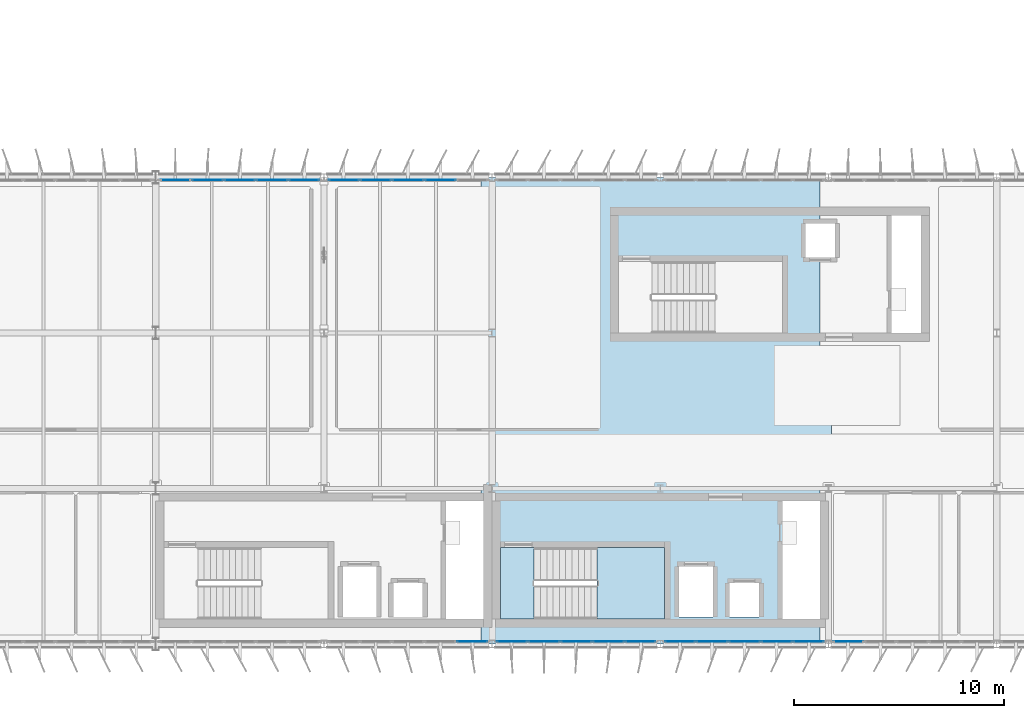
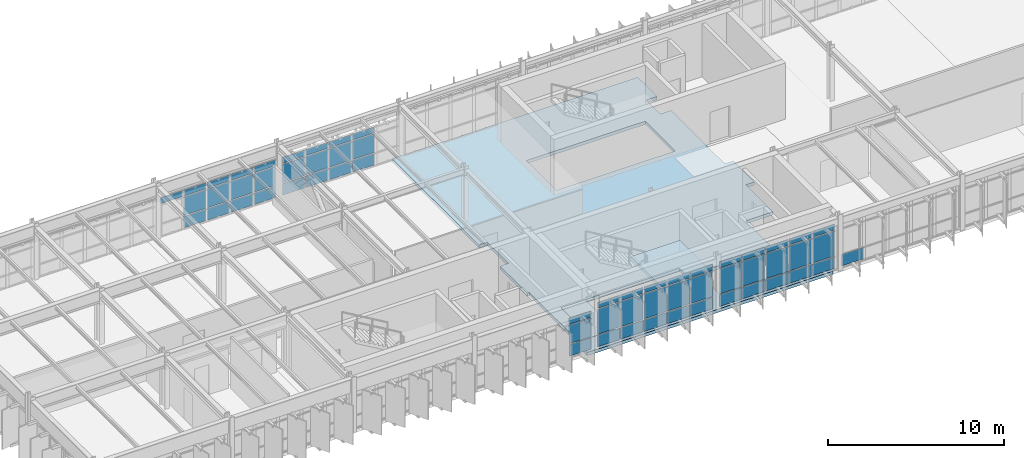
# One storey, part 25 of 45: 59 plates, 3 slabs, 7 elements without a shape of their own.
"""IFC4 building model written with IfcOpenShell, lengths in metres."""

from ifc_helpers import new_model, si_unit, direction, frame, origin, origin_2d, place, context, subcontext, project, spatial, polyline, rectangle, outline, extrude, material, layer, layer_set, type_object, element, aggregate, save


model = new_model("IFC4")

# Units and contexts
model_context = context("Model", 3, precision=1e-05, world=origin(), true_north=direction((0.0, 1.0)))
body_context = subcontext(model_context, "Body", "Model", "MODEL_VIEW")
ifc_project = project(units=[si_unit("LENGTHUNIT", "METRE"), si_unit("AREAUNIT", "SQUARE_METRE"), si_unit("VOLUMEUNIT", "CUBIC_METRE"), si_unit("PLANEANGLEUNIT", "RADIAN"), si_unit("MASSUNIT", "GRAM", prefix="KILO")], contexts=[model_context])

# Site, building, storey
site_placement = place(None, origin())
site = spatial("IfcSite", under=ifc_project, at=site_placement, CompositionType="ELEMENT")
building_placement = place(site_placement, origin())
building = spatial("IfcBuilding", under=site, at=building_placement, Name="Valkorina Park Police Headquarters", CompositionType="ELEMENT")
storey_placement = place(building_placement, frame((0.0, 0.0, 23.300048828125)))
storey = spatial("IfcBuildingStorey", under=building, at=storey_placement, Name="L06", CompositionType="ELEMENT", Elevation=23.300048828125)

# Curtain wall, plates
ifc_material_1 = material(Name="Thermally broken aluminium AW-6060", Category="aluminium")
ifc_layer_1 = layer(ifc_material_1, 0.18994140625)
ifc_layer_set_1 = layer_set([ifc_layer_1], Name="Thermally broken aluminium AW-6060")
curtain_wall_type_1 = type_object("IfcCurtainWallType", Name="CW-V5-7680x2770", PredefinedType="NOTDEFINED", material=ifc_layer_set_1)
curtain_wall_1_placement = place(storey_placement, origin())
curtain_wall_1 = element("IfcCurtainWall", 1, at=curtain_wall_1_placement, inside=storey, type_object=curtain_wall_type_1, Name="L06 Unitised Curtain Wall 102", PredefinedType="NOTDEFINED")
ifc_layer_2 = layer(ifc_material_1, 0.050048828125)
ifc_layer_set_2 = layer_set([ifc_layer_2], Name="Thermally broken aluminium AW-6060")
plate_type_1 = type_object("IfcPlateType", Name="PL-CWP-SPANDREL-50", PredefinedType="CURTAIN_PANEL", material=ifc_layer_set_2)
plate_1_placement = place(storey_placement, frame((19.263916015625, 59.080078125, 0.070068359375), z_axis=(0.0, 0.0, 1.0), x_axis=(1.0, 0.0, 0.0)))
plate_1 = element("IfcPlate", 2, at=plate_1_placement, type_object=plate_type_1, Name="CW-V5-768-277 panel 2.1", PredefinedType="CURTAIN_PANEL", context=body_context, shape_type="SweptSolid", body=[
    extrude(rectangle(XDim=1.466064453125, YDim=0.028076171875, at=origin_2d()), origin(), (0.0, 0.0, 1.0), 0.794921875),
])
plate_2_placement = place(storey_placement, frame((20.800048828125, 59.080078125, 0.070068359375), z_axis=(0.0, 0.0, 1.0), x_axis=(1.0, 0.0, 0.0)))
plate_2 = element("IfcPlate", 3, at=plate_2_placement, type_object=plate_type_1, Name="CW-V5-768-277 panel 3.1", PredefinedType="CURTAIN_PANEL", context=body_context, shape_type="SweptSolid", body=[
    extrude(rectangle(XDim=1.466064453125, YDim=0.028076171875, at=origin_2d()), origin(), (0.0, 0.0, 1.0), 0.794921875),
])
plate_3_placement = place(storey_placement, frame((22.3359375, 59.080078125, 0.070068359375), z_axis=(0.0, 0.0, 1.0), x_axis=(1.0, 0.0, 0.0)))
plate_3 = element("IfcPlate", 4, at=plate_3_placement, type_object=plate_type_1, Name="CW-V5-768-277 panel 4.1", PredefinedType="CURTAIN_PANEL", context=body_context, shape_type="SweptSolid", body=[
    extrude(rectangle(XDim=1.466064453125, YDim=0.028076171875, at=origin_2d()), origin(), (0.0, 0.0, 1.0), 0.794921875),
])
plate_4_placement = place(storey_placement, frame((23.8544921875, 59.080078125, 0.070068359375), z_axis=(0.0, 0.0, 1.0), x_axis=(1.0, 0.0, 0.0)))
plate_4 = element("IfcPlate", 5, at=plate_4_placement, type_object=plate_type_1, Name="CW-V5-768-277 panel 5.1", PredefinedType="CURTAIN_PANEL", context=body_context, shape_type="SweptSolid", body=[
    extrude(rectangle(XDim=1.430908203125, YDim=0.028076171875, at=origin_2d()), origin(), (0.0, 0.0, 1.0), 0.794921875),
])

curtain_wall_2_placement = place(storey_placement, origin())
curtain_wall_2 = element("IfcCurtainWall", 6, at=curtain_wall_2_placement, inside=storey, type_object=curtain_wall_type_1, Name="L06 Unitised Curtain Wall 103", PredefinedType="NOTDEFINED")
plate_5_placement = place(storey_placement, frame((25.74560546875, 59.080078125, 0.070068359375), z_axis=(0.0, 0.0, 1.0), x_axis=(1.0, 0.0, 0.0)))
plate_5 = element("IfcPlate", 7, at=plate_5_placement, type_object=plate_type_1, Name="CW-V5-768-277 panel 1.1", PredefinedType="CURTAIN_PANEL", context=body_context, shape_type="SweptSolid", body=[
    extrude(rectangle(XDim=1.430908203125, YDim=0.028076171875, at=origin_2d()), origin(), (0.0, 0.0, 1.0), 0.794921875),
])
plate_6_placement = place(storey_placement, frame((27.263916015625, 59.080078125, 0.070068359375), z_axis=(0.0, 0.0, 1.0), x_axis=(1.0, 0.0, 0.0)))
plate_6 = element("IfcPlate", 8, at=plate_6_placement, type_object=plate_type_1, Name="CW-V5-768-277 panel 2.1", PredefinedType="CURTAIN_PANEL", context=body_context, shape_type="SweptSolid", body=[
    extrude(rectangle(XDim=1.466064453125, YDim=0.028076171875, at=origin_2d()), origin(), (0.0, 0.0, 1.0), 0.794921875),
])
plate_7_placement = place(storey_placement, frame((28.800048828125, 59.080078125, 0.070068359375), z_axis=(0.0, 0.0, 1.0), x_axis=(1.0, 0.0, 0.0)))
plate_7 = element("IfcPlate", 9, at=plate_7_placement, type_object=plate_type_1, Name="CW-V5-768-277 panel 3.1", PredefinedType="CURTAIN_PANEL", context=body_context, shape_type="SweptSolid", body=[
    extrude(rectangle(XDim=1.466064453125, YDim=0.028076171875, at=origin_2d()), origin(), (0.0, 0.0, 1.0), 0.794921875),
])
plate_8_placement = place(storey_placement, frame((30.3359375, 59.080078125, 0.070068359375), z_axis=(0.0, 0.0, 1.0), x_axis=(1.0, 0.0, 0.0)))
plate_8 = element("IfcPlate", 10, at=plate_8_placement, type_object=plate_type_1, Name="CW-V5-768-277 panel 4.1", PredefinedType="CURTAIN_PANEL", context=body_context, shape_type="SweptSolid", body=[
    extrude(rectangle(XDim=1.466064453125, YDim=0.028076171875, at=origin_2d()), origin(), (0.0, 0.0, 1.0), 0.794921875),
])

# Curtain wall, plate
ifc_layer_3 = layer(ifc_material_1, 0.18994140625)
ifc_layer_set_3 = layer_set([ifc_layer_3], Name="Thermally broken aluminium AW-6060")
curtain_wall_type_2 = type_object("IfcCurtainWallType", Name="CW-V5-7680x3220", PredefinedType="NOTDEFINED", material=ifc_layer_set_3)
curtain_wall_3_placement = place(storey_placement, origin())
curtain_wall_3 = element("IfcCurtainWall", 11, at=curtain_wall_3_placement, inside=storey, type_object=curtain_wall_type_2, Name="L06 Unitised Curtain Wall 126", PredefinedType="NOTDEFINED")
plate_9_placement = place(storey_placement, frame((49.74560546875, 37.1201171875, 0.070068359375), z_axis=(0.0, 0.0, 1.0), x_axis=(-1.0, 0.0, 0.0)))
plate_9 = element("IfcPlate", 12, at=plate_9_placement, type_object=plate_type_1, Name="CW-V5-768-322 panel 5.1", PredefinedType="CURTAIN_PANEL", context=body_context, shape_type="SweptSolid", body=[
    extrude(rectangle(XDim=1.430908203125, YDim=0.028076171875, at=origin_2d()), origin(), (0.0, 0.0, 1.0), 0.794921875),
])
aggregate(curtain_wall_3, [plate_9])

# Curtain wall, plates
curtain_wall_4_placement = place(storey_placement, origin())
curtain_wall_4 = element("IfcCurtainWall", 13, at=curtain_wall_4_placement, inside=storey, type_object=curtain_wall_type_2, Name="L06 Unitised Curtain Wall 127", PredefinedType="NOTDEFINED")
plate_10_placement = place(storey_placement, frame((47.8544921875, 37.1201171875, 0.070068359375), z_axis=(0.0, 0.0, 1.0), x_axis=(-1.0, 0.0, 0.0)))
plate_10 = element("IfcPlate", 14, at=plate_10_placement, type_object=plate_type_1, Name="CW-V5-768-322 panel 1.1", PredefinedType="CURTAIN_PANEL", context=body_context, shape_type="SweptSolid", body=[
    extrude(rectangle(XDim=1.430908203125, YDim=0.028076171875, at=origin_2d()), origin(), (0.0, 0.0, 1.0), 0.794921875),
])
plate_11_placement = place(storey_placement, frame((46.3359375, 37.1201171875, 0.070068359375), z_axis=(0.0, 0.0, 1.0), x_axis=(-1.0, 0.0, 0.0)))
plate_11 = element("IfcPlate", 15, at=plate_11_placement, type_object=plate_type_1, Name="CW-V5-768-322 panel 2.1", PredefinedType="CURTAIN_PANEL", context=body_context, shape_type="SweptSolid", body=[
    extrude(rectangle(XDim=1.466064453125, YDim=0.028076171875, at=origin_2d()), origin(), (0.0, 0.0, 1.0), 0.794921875),
])
plate_12_placement = place(storey_placement, frame((44.800048828125, 37.1201171875, 0.070068359375), z_axis=(0.0, 0.0, 1.0), x_axis=(-1.0, 0.0, 0.0)))
plate_12 = element("IfcPlate", 16, at=plate_12_placement, type_object=plate_type_1, Name="CW-V5-768-322 panel 3.1", PredefinedType="CURTAIN_PANEL", context=body_context, shape_type="SweptSolid", body=[
    extrude(rectangle(XDim=1.466064453125, YDim=0.028076171875, at=origin_2d()), origin(), (0.0, 0.0, 1.0), 0.794921875),
])
plate_13_placement = place(storey_placement, frame((43.263916015625, 37.1201171875, 0.070068359375), z_axis=(0.0, 0.0, 1.0), x_axis=(-1.0, 0.0, 0.0)))
plate_13 = element("IfcPlate", 17, at=plate_13_placement, type_object=plate_type_1, Name="CW-V5-768-322 panel 4.1", PredefinedType="CURTAIN_PANEL", context=body_context, shape_type="SweptSolid", body=[
    extrude(rectangle(XDim=1.466064453125, YDim=0.028076171875, at=origin_2d()), origin(), (0.0, 0.0, 1.0), 0.794921875),
])
plate_14_placement = place(storey_placement, frame((41.74560546875, 37.1201171875, 0.070068359375), z_axis=(0.0, 0.0, 1.0), x_axis=(-1.0, 0.0, 0.0)))
plate_14 = element("IfcPlate", 18, at=plate_14_placement, type_object=plate_type_1, Name="CW-V5-768-322 panel 5.1", PredefinedType="CURTAIN_PANEL", context=body_context, shape_type="SweptSolid", body=[
    extrude(rectangle(XDim=1.430908203125, YDim=0.028076171875, at=origin_2d()), origin(), (0.0, 0.0, 1.0), 0.794921875),
])

curtain_wall_5_placement = place(storey_placement, origin())
curtain_wall_5 = element("IfcCurtainWall", 19, at=curtain_wall_5_placement, inside=storey, type_object=curtain_wall_type_2, Name="L06 Unitised Curtain Wall 128", PredefinedType="NOTDEFINED")
plate_15_placement = place(storey_placement, frame((39.8544921875, 37.1201171875, 0.070068359375), z_axis=(0.0, 0.0, 1.0), x_axis=(-1.0, 0.0, 0.0)))
plate_15 = element("IfcPlate", 20, at=plate_15_placement, type_object=plate_type_1, Name="CW-V5-768-322 panel 1.1", PredefinedType="CURTAIN_PANEL", context=body_context, shape_type="SweptSolid", body=[
    extrude(rectangle(XDim=1.430908203125, YDim=0.028076171875, at=origin_2d()), origin(), (0.0, 0.0, 1.0), 0.794921875),
])
plate_16_placement = place(storey_placement, frame((38.3359375, 37.1201171875, 0.070068359375), z_axis=(0.0, 0.0, 1.0), x_axis=(-1.0, 0.0, 0.0)))
plate_16 = element("IfcPlate", 21, at=plate_16_placement, type_object=plate_type_1, Name="CW-V5-768-322 panel 2.1", PredefinedType="CURTAIN_PANEL", context=body_context, shape_type="SweptSolid", body=[
    extrude(rectangle(XDim=1.466064453125, YDim=0.028076171875, at=origin_2d()), origin(), (0.0, 0.0, 1.0), 0.794921875),
])
plate_17_placement = place(storey_placement, frame((36.800048828125, 37.1201171875, 0.070068359375), z_axis=(0.0, 0.0, 1.0), x_axis=(-1.0, 0.0, 0.0)))
plate_17 = element("IfcPlate", 22, at=plate_17_placement, type_object=plate_type_1, Name="CW-V5-768-322 panel 3.1", PredefinedType="CURTAIN_PANEL", context=body_context, shape_type="SweptSolid", body=[
    extrude(rectangle(XDim=1.466064453125, YDim=0.028076171875, at=origin_2d()), origin(), (0.0, 0.0, 1.0), 0.794921875),
])
plate_18_placement = place(storey_placement, frame((35.263916015625, 37.1201171875, 0.070068359375), z_axis=(0.0, 0.0, 1.0), x_axis=(-1.0, 0.0, 0.0)))
plate_18 = element("IfcPlate", 23, at=plate_18_placement, type_object=plate_type_1, Name="CW-V5-768-322 panel 4.1", PredefinedType="CURTAIN_PANEL", context=body_context, shape_type="SweptSolid", body=[
    extrude(rectangle(XDim=1.466064453125, YDim=0.028076171875, at=origin_2d()), origin(), (0.0, 0.0, 1.0), 0.794921875),
])
plate_19_placement = place(storey_placement, frame((33.74560546875, 37.1201171875, 0.070068359375), z_axis=(0.0, 0.0, 1.0), x_axis=(-1.0, 0.0, 0.0)))
plate_19 = element("IfcPlate", 24, at=plate_19_placement, type_object=plate_type_1, Name="CW-V5-768-322 panel 5.1", PredefinedType="CURTAIN_PANEL", context=body_context, shape_type="SweptSolid", body=[
    extrude(rectangle(XDim=1.430908203125, YDim=0.028076171875, at=origin_2d()), origin(), (0.0, 0.0, 1.0), 0.794921875),
])

# Curtain wall, plate
curtain_wall_6_placement = place(storey_placement, origin())
curtain_wall_6 = element("IfcCurtainWall", 25, at=curtain_wall_6_placement, inside=storey, type_object=curtain_wall_type_1, Name="L06 Unitised Curtain Wall 129", PredefinedType="NOTDEFINED")
plate_20_placement = place(storey_placement, frame((31.8544921875, 37.1201171875, 0.070068359375), z_axis=(0.0, 0.0, 1.0), x_axis=(-1.0, 0.0, 0.0)))
plate_20 = element("IfcPlate", 26, at=plate_20_placement, type_object=plate_type_1, Name="CW-V5-768-277 panel 1.1", PredefinedType="CURTAIN_PANEL", context=body_context, shape_type="SweptSolid", body=[
    extrude(rectangle(XDim=1.430908203125, YDim=0.028076171875, at=origin_2d()), origin(), (0.0, 0.0, 1.0), 0.794921875),
])

# Plate
ifc_material_2 = material(Name="Triple low-E insulated glazing", Category="glass")
ifc_layer_4 = layer(ifc_material_2, 0.028076171875)
ifc_layer_set_4 = layer_set([ifc_layer_4], Name="Triple low-E insulated glazing")
plate_type_2 = type_object("IfcPlateType", Name="PL-CWP-VISION-28", PredefinedType="CURTAIN_PANEL", material=ifc_layer_set_4)
plate_21_placement = place(storey_placement, frame((17.74560546875, 59.080078125, 2.284912109375), z_axis=(0.0, 0.0, 1.0), x_axis=(1.0, 0.0, 0.0)))
plate_21 = element("IfcPlate", 27, at=plate_21_placement, type_object=plate_type_2, Name="CW-V5-768-277 panel 1.3", PredefinedType="CURTAIN_PANEL", context=body_context, shape_type="SweptSolid", body=[
    extrude(rectangle(XDim=1.430908203125, YDim=0.028076171875, at=origin_2d()), origin(), (0.0, 0.0, 1.0), 0.4150390625),
])

plate_22_placement = place(storey_placement, frame((19.263916015625, 59.080078125, 0.93505859375), z_axis=(0.0, 0.0, 1.0), x_axis=(1.0, 0.0, 0.0)))
plate_22 = element("IfcPlate", 28, at=plate_22_placement, type_object=plate_type_2, Name="CW-V5-768-277 panel 2.2", PredefinedType="CURTAIN_PANEL", context=body_context, shape_type="SweptSolid", body=[
    extrude(rectangle(XDim=1.466064453125, YDim=0.028076171875, at=origin_2d()), origin(), (0.0, 0.0, 1.0), 1.280029296875),
])

plate_23_placement = place(storey_placement, frame((19.263916015625, 59.080078125, 2.284912109375), z_axis=(0.0, 0.0, 1.0), x_axis=(1.0, 0.0, 0.0)))
plate_23 = element("IfcPlate", 29, at=plate_23_placement, type_object=plate_type_2, Name="CW-V5-768-277 panel 2.3", PredefinedType="CURTAIN_PANEL", context=body_context, shape_type="SweptSolid", body=[
    extrude(rectangle(XDim=1.466064453125, YDim=0.028076171875, at=origin_2d()), origin(), (0.0, 0.0, 1.0), 0.4150390625),
])

plate_24_placement = place(storey_placement, frame((20.800048828125, 59.080078125, 0.93505859375), z_axis=(0.0, 0.0, 1.0), x_axis=(1.0, 0.0, 0.0)))
plate_24 = element("IfcPlate", 30, at=plate_24_placement, type_object=plate_type_2, Name="CW-V5-768-277 panel 3.2", PredefinedType="CURTAIN_PANEL", context=body_context, shape_type="SweptSolid", body=[
    extrude(rectangle(XDim=1.466064453125, YDim=0.028076171875, at=origin_2d()), origin(), (0.0, 0.0, 1.0), 1.280029296875),
])

plate_25_placement = place(storey_placement, frame((20.800048828125, 59.080078125, 2.284912109375), z_axis=(0.0, 0.0, 1.0), x_axis=(1.0, 0.0, 0.0)))
plate_25 = element("IfcPlate", 31, at=plate_25_placement, type_object=plate_type_2, Name="CW-V5-768-277 panel 3.3", PredefinedType="CURTAIN_PANEL", context=body_context, shape_type="SweptSolid", body=[
    extrude(rectangle(XDim=1.466064453125, YDim=0.028076171875, at=origin_2d()), origin(), (0.0, 0.0, 1.0), 0.4150390625),
])

plate_26_placement = place(storey_placement, frame((22.3359375, 59.080078125, 0.93505859375), z_axis=(0.0, 0.0, 1.0), x_axis=(1.0, 0.0, 0.0)))
plate_26 = element("IfcPlate", 32, at=plate_26_placement, type_object=plate_type_2, Name="CW-V5-768-277 panel 4.2", PredefinedType="CURTAIN_PANEL", context=body_context, shape_type="SweptSolid", body=[
    extrude(rectangle(XDim=1.466064453125, YDim=0.028076171875, at=origin_2d()), origin(), (0.0, 0.0, 1.0), 1.280029296875),
])

plate_27_placement = place(storey_placement, frame((22.3359375, 59.080078125, 2.284912109375), z_axis=(0.0, 0.0, 1.0), x_axis=(1.0, 0.0, 0.0)))
plate_27 = element("IfcPlate", 33, at=plate_27_placement, type_object=plate_type_2, Name="CW-V5-768-277 panel 4.3", PredefinedType="CURTAIN_PANEL", context=body_context, shape_type="SweptSolid", body=[
    extrude(rectangle(XDim=1.466064453125, YDim=0.028076171875, at=origin_2d()), origin(), (0.0, 0.0, 1.0), 0.4150390625),
])

plate_28_placement = place(storey_placement, frame((23.8544921875, 59.080078125, 0.93505859375), z_axis=(0.0, 0.0, 1.0), x_axis=(1.0, 0.0, 0.0)))
plate_28 = element("IfcPlate", 34, at=plate_28_placement, type_object=plate_type_2, Name="CW-V5-768-277 panel 5.2", PredefinedType="CURTAIN_PANEL", context=body_context, shape_type="SweptSolid", body=[
    extrude(rectangle(XDim=1.430908203125, YDim=0.028076171875, at=origin_2d()), origin(), (0.0, 0.0, 1.0), 1.280029296875),
])

plate_29_placement = place(storey_placement, frame((23.8544921875, 59.080078125, 2.284912109375), z_axis=(0.0, 0.0, 1.0), x_axis=(1.0, 0.0, 0.0)))
plate_29 = element("IfcPlate", 35, at=plate_29_placement, type_object=plate_type_2, Name="CW-V5-768-277 panel 5.3", PredefinedType="CURTAIN_PANEL", context=body_context, shape_type="SweptSolid", body=[
    extrude(rectangle(XDim=1.430908203125, YDim=0.028076171875, at=origin_2d()), origin(), (0.0, 0.0, 1.0), 0.4150390625),
])

aggregate(curtain_wall_1, [plate_21, plate_1, plate_22, plate_23, plate_2, plate_24, plate_25, plate_3, plate_26, plate_27, plate_4, plate_28, plate_29])

plate_30_placement = place(storey_placement, frame((25.74560546875, 59.080078125, 0.93505859375), z_axis=(0.0, 0.0, 1.0), x_axis=(1.0, 0.0, 0.0)))
plate_30 = element("IfcPlate", 36, at=plate_30_placement, type_object=plate_type_2, Name="CW-V5-768-277 panel 1.2", PredefinedType="CURTAIN_PANEL", context=body_context, shape_type="SweptSolid", body=[
    extrude(rectangle(XDim=1.430908203125, YDim=0.028076171875, at=origin_2d()), origin(), (0.0, 0.0, 1.0), 1.280029296875),
])

plate_31_placement = place(storey_placement, frame((25.74560546875, 59.080078125, 2.284912109375), z_axis=(0.0, 0.0, 1.0), x_axis=(1.0, 0.0, 0.0)))
plate_31 = element("IfcPlate", 37, at=plate_31_placement, type_object=plate_type_2, Name="CW-V5-768-277 panel 1.3", PredefinedType="CURTAIN_PANEL", context=body_context, shape_type="SweptSolid", body=[
    extrude(rectangle(XDim=1.430908203125, YDim=0.028076171875, at=origin_2d()), origin(), (0.0, 0.0, 1.0), 0.4150390625),
])

plate_32_placement = place(storey_placement, frame((27.263916015625, 59.080078125, 0.93505859375), z_axis=(0.0, 0.0, 1.0), x_axis=(1.0, 0.0, 0.0)))
plate_32 = element("IfcPlate", 38, at=plate_32_placement, type_object=plate_type_2, Name="CW-V5-768-277 panel 2.2", PredefinedType="CURTAIN_PANEL", context=body_context, shape_type="SweptSolid", body=[
    extrude(rectangle(XDim=1.466064453125, YDim=0.028076171875, at=origin_2d()), origin(), (0.0, 0.0, 1.0), 1.280029296875),
])

plate_33_placement = place(storey_placement, frame((27.263916015625, 59.080078125, 2.284912109375), z_axis=(0.0, 0.0, 1.0), x_axis=(1.0, 0.0, 0.0)))
plate_33 = element("IfcPlate", 39, at=plate_33_placement, type_object=plate_type_2, Name="CW-V5-768-277 panel 2.3", PredefinedType="CURTAIN_PANEL", context=body_context, shape_type="SweptSolid", body=[
    extrude(rectangle(XDim=1.466064453125, YDim=0.028076171875, at=origin_2d()), origin(), (0.0, 0.0, 1.0), 0.4150390625),
])

plate_34_placement = place(storey_placement, frame((28.800048828125, 59.080078125, 0.93505859375), z_axis=(0.0, 0.0, 1.0), x_axis=(1.0, 0.0, 0.0)))
plate_34 = element("IfcPlate", 40, at=plate_34_placement, type_object=plate_type_2, Name="CW-V5-768-277 panel 3.2", PredefinedType="CURTAIN_PANEL", context=body_context, shape_type="SweptSolid", body=[
    extrude(rectangle(XDim=1.466064453125, YDim=0.028076171875, at=origin_2d()), origin(), (0.0, 0.0, 1.0), 1.280029296875),
])

plate_35_placement = place(storey_placement, frame((28.800048828125, 59.080078125, 2.284912109375), z_axis=(0.0, 0.0, 1.0), x_axis=(1.0, 0.0, 0.0)))
plate_35 = element("IfcPlate", 41, at=plate_35_placement, type_object=plate_type_2, Name="CW-V5-768-277 panel 3.3", PredefinedType="CURTAIN_PANEL", context=body_context, shape_type="SweptSolid", body=[
    extrude(rectangle(XDim=1.466064453125, YDim=0.028076171875, at=origin_2d()), origin(), (0.0, 0.0, 1.0), 0.4150390625),
])

plate_36_placement = place(storey_placement, frame((30.3359375, 59.080078125, 0.93505859375), z_axis=(0.0, 0.0, 1.0), x_axis=(1.0, 0.0, 0.0)))
plate_36 = element("IfcPlate", 42, at=plate_36_placement, type_object=plate_type_2, Name="CW-V5-768-277 panel 4.2", PredefinedType="CURTAIN_PANEL", context=body_context, shape_type="SweptSolid", body=[
    extrude(rectangle(XDim=1.466064453125, YDim=0.028076171875, at=origin_2d()), origin(), (0.0, 0.0, 1.0), 1.280029296875),
])

plate_37_placement = place(storey_placement, frame((30.3359375, 59.080078125, 2.284912109375), z_axis=(0.0, 0.0, 1.0), x_axis=(1.0, 0.0, 0.0)))
plate_37 = element("IfcPlate", 43, at=plate_37_placement, type_object=plate_type_2, Name="CW-V5-768-277 panel 4.3", PredefinedType="CURTAIN_PANEL", context=body_context, shape_type="SweptSolid", body=[
    extrude(rectangle(XDim=1.466064453125, YDim=0.028076171875, at=origin_2d()), origin(), (0.0, 0.0, 1.0), 0.4150390625),
])

aggregate(curtain_wall_2, [plate_5, plate_30, plate_31, plate_6, plate_32, plate_33, plate_7, plate_34, plate_35, plate_8, plate_36, plate_37])

plate_38_placement = place(storey_placement, frame((47.8544921875, 37.1201171875, 0.93505859375), z_axis=(0.0, 0.0, 1.0), x_axis=(-1.0, 0.0, 0.0)))
plate_38 = element("IfcPlate", 44, at=plate_38_placement, type_object=plate_type_2, Name="CW-V5-768-322 panel 1.2", PredefinedType="CURTAIN_PANEL", context=body_context, shape_type="SweptSolid", body=[
    extrude(rectangle(XDim=1.430908203125, YDim=0.028076171875, at=origin_2d()), origin(), (0.0, 0.0, 1.0), 1.72998046875),
])

plate_39_placement = place(storey_placement, frame((47.8544921875, 37.1201171875, 2.73486328125), z_axis=(0.0, 0.0, 1.0), x_axis=(-1.0, 0.0, 0.0)))
plate_39 = element("IfcPlate", 45, at=plate_39_placement, type_object=plate_type_2, Name="CW-V5-768-322 panel 1.3", PredefinedType="CURTAIN_PANEL", context=body_context, shape_type="SweptSolid", body=[
    extrude(rectangle(XDim=1.430908203125, YDim=0.028076171875, at=origin_2d()), origin(), (0.0, 0.0, 1.0), 0.4150390625),
])

plate_40_placement = place(storey_placement, frame((46.3359375, 37.1201171875, 0.93505859375), z_axis=(0.0, 0.0, 1.0), x_axis=(-1.0, 0.0, 0.0)))
plate_40 = element("IfcPlate", 46, at=plate_40_placement, type_object=plate_type_2, Name="CW-V5-768-322 panel 2.2", PredefinedType="CURTAIN_PANEL", context=body_context, shape_type="SweptSolid", body=[
    extrude(rectangle(XDim=1.466064453125, YDim=0.028076171875, at=origin_2d()), origin(), (0.0, 0.0, 1.0), 1.72998046875),
])

plate_41_placement = place(storey_placement, frame((46.3359375, 37.1201171875, 2.73486328125), z_axis=(0.0, 0.0, 1.0), x_axis=(-1.0, 0.0, 0.0)))
plate_41 = element("IfcPlate", 47, at=plate_41_placement, type_object=plate_type_2, Name="CW-V5-768-322 panel 2.3", PredefinedType="CURTAIN_PANEL", context=body_context, shape_type="SweptSolid", body=[
    extrude(rectangle(XDim=1.466064453125, YDim=0.028076171875, at=origin_2d()), origin(), (0.0, 0.0, 1.0), 0.4150390625),
])

plate_42_placement = place(storey_placement, frame((44.800048828125, 37.1201171875, 0.93505859375), z_axis=(0.0, 0.0, 1.0), x_axis=(-1.0, 0.0, 0.0)))
plate_42 = element("IfcPlate", 48, at=plate_42_placement, type_object=plate_type_2, Name="CW-V5-768-322 panel 3.2", PredefinedType="CURTAIN_PANEL", context=body_context, shape_type="SweptSolid", body=[
    extrude(rectangle(XDim=1.466064453125, YDim=0.028076171875, at=origin_2d()), origin(), (0.0, 0.0, 1.0), 1.72998046875),
])

plate_43_placement = place(storey_placement, frame((44.800048828125, 37.1201171875, 2.73486328125), z_axis=(0.0, 0.0, 1.0), x_axis=(-1.0, 0.0, 0.0)))
plate_43 = element("IfcPlate", 49, at=plate_43_placement, type_object=plate_type_2, Name="CW-V5-768-322 panel 3.3", PredefinedType="CURTAIN_PANEL", context=body_context, shape_type="SweptSolid", body=[
    extrude(rectangle(XDim=1.466064453125, YDim=0.028076171875, at=origin_2d()), origin(), (0.0, 0.0, 1.0), 0.4150390625),
])

plate_44_placement = place(storey_placement, frame((43.263916015625, 37.1201171875, 0.93505859375), z_axis=(0.0, 0.0, 1.0), x_axis=(-1.0, 0.0, 0.0)))
plate_44 = element("IfcPlate", 50, at=plate_44_placement, type_object=plate_type_2, Name="CW-V5-768-322 panel 4.2", PredefinedType="CURTAIN_PANEL", context=body_context, shape_type="SweptSolid", body=[
    extrude(rectangle(XDim=1.466064453125, YDim=0.028076171875, at=origin_2d()), origin(), (0.0, 0.0, 1.0), 1.72998046875),
])

plate_45_placement = place(storey_placement, frame((43.263916015625, 37.1201171875, 2.73486328125), z_axis=(0.0, 0.0, 1.0), x_axis=(-1.0, 0.0, 0.0)))
plate_45 = element("IfcPlate", 51, at=plate_45_placement, type_object=plate_type_2, Name="CW-V5-768-322 panel 4.3", PredefinedType="CURTAIN_PANEL", context=body_context, shape_type="SweptSolid", body=[
    extrude(rectangle(XDim=1.466064453125, YDim=0.028076171875, at=origin_2d()), origin(), (0.0, 0.0, 1.0), 0.4150390625),
])

plate_46_placement = place(storey_placement, frame((41.74560546875, 37.1201171875, 0.93505859375), z_axis=(0.0, 0.0, 1.0), x_axis=(-1.0, 0.0, 0.0)))
plate_46 = element("IfcPlate", 52, at=plate_46_placement, type_object=plate_type_2, Name="CW-V5-768-322 panel 5.2", PredefinedType="CURTAIN_PANEL", context=body_context, shape_type="SweptSolid", body=[
    extrude(rectangle(XDim=1.430908203125, YDim=0.028076171875, at=origin_2d()), origin(), (0.0, 0.0, 1.0), 1.72998046875),
])

plate_47_placement = place(storey_placement, frame((41.74560546875, 37.1201171875, 2.73486328125), z_axis=(0.0, 0.0, 1.0), x_axis=(-1.0, 0.0, 0.0)))
plate_47 = element("IfcPlate", 53, at=plate_47_placement, type_object=plate_type_2, Name="CW-V5-768-322 panel 5.3", PredefinedType="CURTAIN_PANEL", context=body_context, shape_type="SweptSolid", body=[
    extrude(rectangle(XDim=1.430908203125, YDim=0.028076171875, at=origin_2d()), origin(), (0.0, 0.0, 1.0), 0.4150390625),
])

aggregate(curtain_wall_4, [plate_10, plate_38, plate_39, plate_11, plate_40, plate_41, plate_12, plate_42, plate_43, plate_13, plate_44, plate_45, plate_14, plate_46, plate_47])

plate_48_placement = place(storey_placement, frame((39.8544921875, 37.1201171875, 0.93505859375), z_axis=(0.0, 0.0, 1.0), x_axis=(-1.0, 0.0, 0.0)))
plate_48 = element("IfcPlate", 54, at=plate_48_placement, type_object=plate_type_2, Name="CW-V5-768-322 panel 1.2", PredefinedType="CURTAIN_PANEL", context=body_context, shape_type="SweptSolid", body=[
    extrude(rectangle(XDim=1.430908203125, YDim=0.028076171875, at=origin_2d()), origin(), (0.0, 0.0, 1.0), 1.72998046875),
])

plate_49_placement = place(storey_placement, frame((39.8544921875, 37.1201171875, 2.73486328125), z_axis=(0.0, 0.0, 1.0), x_axis=(-1.0, 0.0, 0.0)))
plate_49 = element("IfcPlate", 55, at=plate_49_placement, type_object=plate_type_2, Name="CW-V5-768-322 panel 1.3", PredefinedType="CURTAIN_PANEL", context=body_context, shape_type="SweptSolid", body=[
    extrude(rectangle(XDim=1.430908203125, YDim=0.028076171875, at=origin_2d()), origin(), (0.0, 0.0, 1.0), 0.4150390625),
])

plate_50_placement = place(storey_placement, frame((38.3359375, 37.1201171875, 0.93505859375), z_axis=(0.0, 0.0, 1.0), x_axis=(-1.0, 0.0, 0.0)))
plate_50 = element("IfcPlate", 56, at=plate_50_placement, type_object=plate_type_2, Name="CW-V5-768-322 panel 2.2", PredefinedType="CURTAIN_PANEL", context=body_context, shape_type="SweptSolid", body=[
    extrude(rectangle(XDim=1.466064453125, YDim=0.028076171875, at=origin_2d()), origin(), (0.0, 0.0, 1.0), 1.72998046875),
])

plate_51_placement = place(storey_placement, frame((38.3359375, 37.1201171875, 2.73486328125), z_axis=(0.0, 0.0, 1.0), x_axis=(-1.0, 0.0, 0.0)))
plate_51 = element("IfcPlate", 57, at=plate_51_placement, type_object=plate_type_2, Name="CW-V5-768-322 panel 2.3", PredefinedType="CURTAIN_PANEL", context=body_context, shape_type="SweptSolid", body=[
    extrude(rectangle(XDim=1.466064453125, YDim=0.028076171875, at=origin_2d()), origin(), (0.0, 0.0, 1.0), 0.4150390625),
])

plate_52_placement = place(storey_placement, frame((36.800048828125, 37.1201171875, 0.93505859375), z_axis=(0.0, 0.0, 1.0), x_axis=(-1.0, 0.0, 0.0)))
plate_52 = element("IfcPlate", 58, at=plate_52_placement, type_object=plate_type_2, Name="CW-V5-768-322 panel 3.2", PredefinedType="CURTAIN_PANEL", context=body_context, shape_type="SweptSolid", body=[
    extrude(rectangle(XDim=1.466064453125, YDim=0.028076171875, at=origin_2d()), origin(), (0.0, 0.0, 1.0), 1.72998046875),
])

plate_53_placement = place(storey_placement, frame((36.800048828125, 37.1201171875, 2.73486328125), z_axis=(0.0, 0.0, 1.0), x_axis=(-1.0, 0.0, 0.0)))
plate_53 = element("IfcPlate", 59, at=plate_53_placement, type_object=plate_type_2, Name="CW-V5-768-322 panel 3.3", PredefinedType="CURTAIN_PANEL", context=body_context, shape_type="SweptSolid", body=[
    extrude(rectangle(XDim=1.466064453125, YDim=0.028076171875, at=origin_2d()), origin(), (0.0, 0.0, 1.0), 0.4150390625),
])

plate_54_placement = place(storey_placement, frame((35.263916015625, 37.1201171875, 0.93505859375), z_axis=(0.0, 0.0, 1.0), x_axis=(-1.0, 0.0, 0.0)))
plate_54 = element("IfcPlate", 60, at=plate_54_placement, type_object=plate_type_2, Name="CW-V5-768-322 panel 4.2", PredefinedType="CURTAIN_PANEL", context=body_context, shape_type="SweptSolid", body=[
    extrude(rectangle(XDim=1.466064453125, YDim=0.028076171875, at=origin_2d()), origin(), (0.0, 0.0, 1.0), 1.72998046875),
])

plate_55_placement = place(storey_placement, frame((35.263916015625, 37.1201171875, 2.73486328125), z_axis=(0.0, 0.0, 1.0), x_axis=(-1.0, 0.0, 0.0)))
plate_55 = element("IfcPlate", 61, at=plate_55_placement, type_object=plate_type_2, Name="CW-V5-768-322 panel 4.3", PredefinedType="CURTAIN_PANEL", context=body_context, shape_type="SweptSolid", body=[
    extrude(rectangle(XDim=1.466064453125, YDim=0.028076171875, at=origin_2d()), origin(), (0.0, 0.0, 1.0), 0.4150390625),
])

plate_56_placement = place(storey_placement, frame((33.74560546875, 37.1201171875, 0.93505859375), z_axis=(0.0, 0.0, 1.0), x_axis=(-1.0, 0.0, 0.0)))
plate_56 = element("IfcPlate", 62, at=plate_56_placement, type_object=plate_type_2, Name="CW-V5-768-322 panel 5.2", PredefinedType="CURTAIN_PANEL", context=body_context, shape_type="SweptSolid", body=[
    extrude(rectangle(XDim=1.430908203125, YDim=0.028076171875, at=origin_2d()), origin(), (0.0, 0.0, 1.0), 1.72998046875),
])

plate_57_placement = place(storey_placement, frame((33.74560546875, 37.1201171875, 2.73486328125), z_axis=(0.0, 0.0, 1.0), x_axis=(-1.0, 0.0, 0.0)))
plate_57 = element("IfcPlate", 63, at=plate_57_placement, type_object=plate_type_2, Name="CW-V5-768-322 panel 5.3", PredefinedType="CURTAIN_PANEL", context=body_context, shape_type="SweptSolid", body=[
    extrude(rectangle(XDim=1.430908203125, YDim=0.028076171875, at=origin_2d()), origin(), (0.0, 0.0, 1.0), 0.4150390625),
])

aggregate(curtain_wall_5, [plate_15, plate_48, plate_49, plate_16, plate_50, plate_51, plate_17, plate_52, plate_53, plate_18, plate_54, plate_55, plate_19, plate_56, plate_57])

plate_58_placement = place(storey_placement, frame((31.8544921875, 37.1201171875, 0.93505859375), z_axis=(0.0, 0.0, 1.0), x_axis=(-1.0, 0.0, 0.0)))
plate_58 = element("IfcPlate", 64, at=plate_58_placement, type_object=plate_type_2, Name="CW-V5-768-277 panel 1.2", PredefinedType="CURTAIN_PANEL", context=body_context, shape_type="SweptSolid", body=[
    extrude(rectangle(XDim=1.430908203125, YDim=0.028076171875, at=origin_2d()), origin(), (0.0, 0.0, 1.0), 1.280029296875),
])

plate_59_placement = place(storey_placement, frame((31.8544921875, 37.1201171875, 2.284912109375), z_axis=(0.0, 0.0, 1.0), x_axis=(-1.0, 0.0, 0.0)))
plate_59 = element("IfcPlate", 65, at=plate_59_placement, type_object=plate_type_2, Name="CW-V5-768-277 panel 1.3", PredefinedType="CURTAIN_PANEL", context=body_context, shape_type="SweptSolid", body=[
    extrude(rectangle(XDim=1.430908203125, YDim=0.028076171875, at=origin_2d()), origin(), (0.0, 0.0, 1.0), 0.4150390625),
])

aggregate(curtain_wall_6, [plate_20, plate_58, plate_59])

# Slab
ifc_material_3 = material(Name="Concrete C35/45", Category="concrete")
ifc_layer_5 = layer(ifc_material_3, 0.219970703125)
ifc_layer_set_5 = layer_set([ifc_layer_5], Name="Concrete C35/45")
slab_type_1 = type_object("IfcSlabType", Name="SL-COMP-OFF-150", PredefinedType="FLOOR", material=ifc_layer_set_5)
slab_1_placement = place(storey_placement, frame((0.0, 0.0, -0.219970703125)))
element("IfcSlab", 66, at=slab_1_placement, inside=storey, type_object=slab_type_1, Name="L06 Structural Floor Slab 101", PredefinedType="FLOOR", context=body_context, shape_type="SweptSolid", body=[
    extrude(outline(polyline([(48.949951171875, 49.2958984375), (48.39990234375, 49.2958984375), (48.39990234375, 55.39990234375), (47.699951171875, 55.39990234375), (47.699951171875, 57.0), (48.39990234375, 57.0), (48.39990234375, 59.19189453125), (32.2666015625, 59.19189453125), (32.2666015625, 49.2958984375), (32.816650390625, 49.2958984375), (32.816650390625, 46.89599609375), (32.2666015625, 46.89599609375), (32.2666015625, 43.800048828125), (32.39990234375, 43.800048828125), (32.39990234375, 38.199951171875), (32.2666015625, 38.199951171875), (32.2666015625, 37.0), (48.39990234375, 37.0), (48.39990234375, 38.199951171875), (46.60009765625, 38.199951171875), (46.60009765625, 43.800048828125), (48.39990234375, 43.800048828125), (48.39990234375, 46.89599609375), (48.949951171875, 46.89599609375), (48.949951171875, 49.2958984375)]), holes=[polyline([(43.300048828125, 38.300048828125), (41.699951171875, 38.300048828125), (41.699951171875, 40.699951171875), (43.300048828125, 40.699951171875), (43.300048828125, 38.300048828125)]), polyline([(33.199951171875, 38.199951171875), (33.199951171875, 41.60009765625), (41.0, 41.60009765625), (41.0, 38.199951171875), (33.199951171875, 38.199951171875)]), polyline([(38.800048828125, 51.800048828125), (38.800048828125, 55.199951171875), (46.60009765625, 55.199951171875), (46.60009765625, 51.800048828125), (38.800048828125, 51.800048828125)]), polyline([(45.5, 39.89990234375), (45.5, 38.300048828125), (44.10009765625, 38.300048828125), (44.10009765625, 39.89990234375), (45.5, 39.89990234375)])]), origin(), (0.0, 0.0, 1.0), 0.219970703125),
])

# Stair, slab
stair_type = type_object("IfcStairType", Name="ST-DOGLEG-160-39", PredefinedType="HALF_TURN_STAIR", material=ifc_material_3)
stair_placement = place(storey_placement, origin())
stair = element("IfcStair", 67, at=stair_placement, inside=storey, type_object=stair_type, Name="L06 Core C2 Protected Stair (ST-07)", PredefinedType="HALF_TURN_STAIR")
ifc_layer_6 = layer(ifc_material_3, 0.22998046875)
ifc_layer_set_6 = layer_set([ifc_layer_6], Name="Concrete C35/45")
slab_type_2 = type_object("IfcSlabType", Name="SL-LANDING-230", PredefinedType="LANDING", material=ifc_layer_set_6)
slab_2_placement = place(storey_placement, frame((0.0, 0.0, 1.719970703125)))
slab_2 = element("IfcSlab", 68, at=slab_2_placement, type_object=slab_type_2, Name="ST-07 landing 1", PredefinedType="LANDING", context=body_context, shape_type="SweptSolid", body=[
    extrude(outline(polyline([(37.800048828125, 38.199951171875), (41.0, 38.199951171875), (41.0, 41.60009765625), (37.800048828125, 41.60009765625), (37.800048828125, 38.199951171875)])), origin(), (0.0, 0.0, 1.0), 0.22998046875),
])
aggregate(stair, [slab_2])

# Slab
ifc_material_4 = material(Name="Concrete C40/50", Category="concrete")
ifc_layer_7 = layer(ifc_material_4, 0.300048828125)
ifc_layer_set_7 = layer_set([ifc_layer_7], Name="Concrete C40/50")
slab_type_3 = type_object("IfcSlabType", Name="SL-VAULT-300", PredefinedType="FLOOR", material=ifc_layer_set_7)
slab_3_placement = place(storey_placement, frame((0.0, 0.0, -0.300048828125)))
element("IfcSlab", 69, at=slab_3_placement, inside=storey, type_object=slab_type_3, Name="L06 Core C2 Structural Floor Landing Slab", PredefinedType="FLOOR", context=body_context, shape_type="SweptSolid", body=[
    extrude(outline(polyline([(33.199951171875, 38.199951171875), (34.800048828125, 38.199951171875), (34.800048828125, 41.60009765625), (33.199951171875, 41.60009765625), (33.199951171875, 38.199951171875)])), origin(), (0.0, 0.0, 1.0), 0.300048828125),
])

save(model, "model.ifc")
